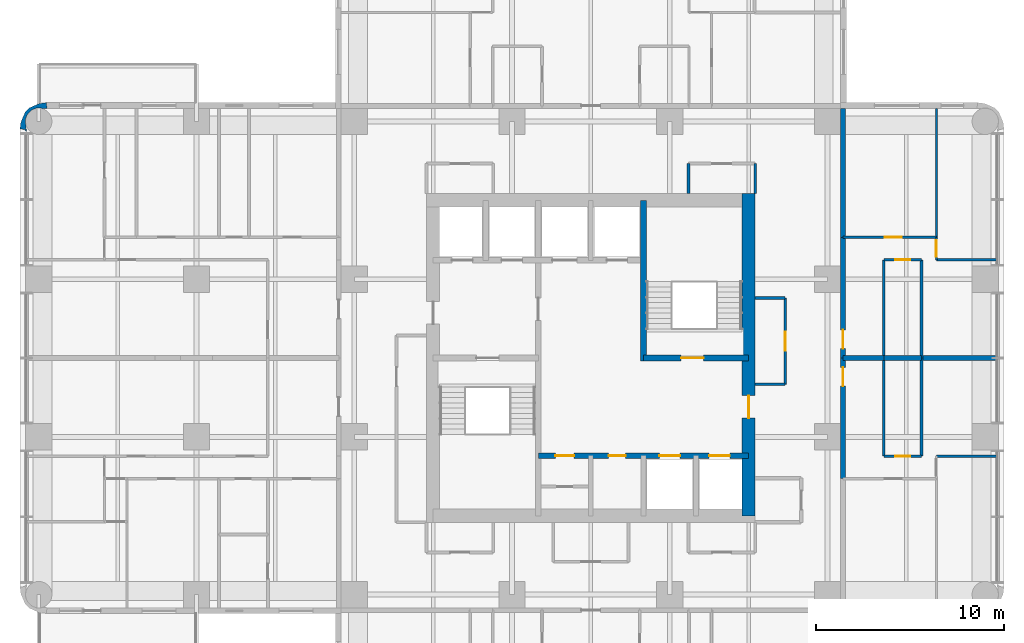
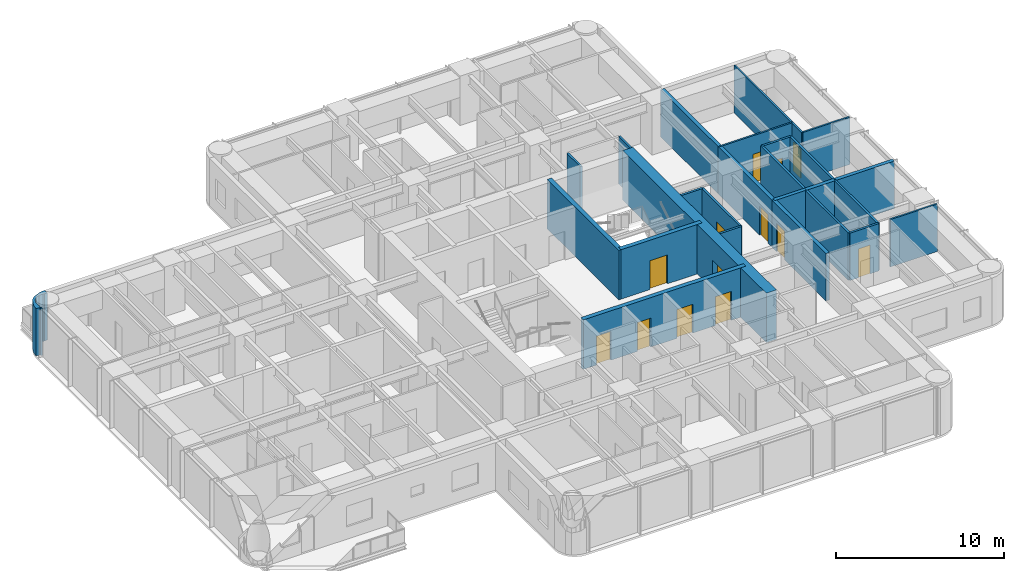
# One storey, part 8 of 11: 27 walls, 13 doors, 13 openings.
"""IFC4 building model written with IfcOpenShell, lengths in metres."""

import ifcopenshell
import ifcopenshell.guid

model = None  # the IFC model being written
_history = None  # IfcOwnerHistory: only IFC2X3 demands one
_inside = {}  # id of a spatial element -> (the spatial element, [elements in it])
_under = {}  # id of a project, library or spatial element -> (it, [spatial elements below it])
_declared = {}  # id of a project -> (the project, [libraries it declares])
_typed = {}  # id of a type object -> (the type object, [elements of that type])
_made_of = {}  # id of a material, layer set ... -> (it, [elements and type objects made of it])


def new_model(schema):
    """Start an empty IFC model of exactly this schema.

    Asked for "IFC4X3", IfcOpenShell would pick the latest addendum, in which some entities
    have other attributes; the version numbers below select the first issue.
    IFC2X3 requires an IfcOwnerHistory on every rooted entity: one is made here for all.
    """
    global model, _history
    if schema == "IFC4X3":
        model = ifcopenshell.file(schema_version=(4, 3, 0, 0))
    else:
        model = ifcopenshell.file(schema=schema)
    _inside.clear()
    _under.clear()
    _declared.clear()
    _typed.clear()
    _made_of.clear()
    _history = None
    if model.schema == "IFC2X3":
        org = make("IfcOrganization", Name="unknown")
        user = make(
            "IfcPersonAndOrganization",
            ThePerson=make("IfcPerson", FamilyName="unknown"),
            TheOrganization=org,
        )
        app = make(
            "IfcApplication",
            ApplicationDeveloper=org,
            Version="unknown",
            ApplicationFullName="unknown",
            ApplicationIdentifier="unknown",
        )
        _history = make(
            "IfcOwnerHistory",
            OwningUser=user,
            OwningApplication=app,
            ChangeAction="ADDED",
            CreationDate=0,
        )
    return model


def make(cls, **values):
    """One entity of the class cls with the attributes given. An attribute that is None is left unset."""
    return model.create_entity(
        cls, **{name: value for name, value in values.items() if value is not None}
    )


def rooted(cls, **values):
    """An entity with a GlobalId (a new one), such as an element, a storey or a relation."""
    return make(cls, GlobalId=ifcopenshell.guid.new(), OwnerHistory=_history, **values)


def si_unit(unit_type, name, prefix=None):
    """IfcSIUnit, for example si_unit("LENGTHUNIT", "METRE", prefix="MILLI")."""
    return make("IfcSIUnit", UnitType=unit_type, Prefix=prefix, Name=name)


def assignment(units):
    """IfcUnitAssignment: the units of a project."""
    return None if units is None else make("IfcUnitAssignment", Units=units)


def point(xyz):
    """IfcCartesianPoint."""
    return None if xyz is None else make("IfcCartesianPoint", Coordinates=xyz)


def direction(xyz):
    """IfcDirection."""
    return None if xyz is None else make("IfcDirection", DirectionRatios=xyz)


def frame(location, z_axis=None, x_axis=None):
    """IfcAxis2Placement3D, a coordinate frame: its origin and axes. An axis left out is left unset."""
    return make(
        "IfcAxis2Placement3D",
        Location=point(location),
        Axis=direction(z_axis),
        RefDirection=direction(x_axis),
    )


def frame_2d(location, x_axis=None):
    """IfcAxis2Placement2D, a coordinate frame in the plane: its origin and x axis."""
    return make(
        "IfcAxis2Placement2D", Location=point(location), RefDirection=direction(x_axis)
    )


def origin():
    """The frame at (0, 0, 0) with its axes left unset."""
    return frame((0.0, 0.0, 0.0))


def place(relative_to, where):
    """IfcLocalPlacement: puts the frame where relative to a parent placement (None: the world)."""
    return make(
        "IfcLocalPlacement", PlacementRelTo=relative_to, RelativePlacement=where
    )


def context(
    kind, dimensions, precision=None, world=None, true_north=None, identifier=None
):
    """IfcGeometricRepresentationContext, for example the 3D "Model" context."""
    return make(
        "IfcGeometricRepresentationContext",
        ContextIdentifier=identifier,
        ContextType=kind,
        CoordinateSpaceDimension=dimensions,
        Precision=precision,
        WorldCoordinateSystem=world,
        TrueNorth=true_north,
    )


def subcontext(parent, identifier, kind, view, scale=None):
    """IfcGeometricRepresentationSubContext, for example "Body" below "Model"."""
    return make(
        "IfcGeometricRepresentationSubContext",
        ContextIdentifier=identifier,
        ContextType=kind,
        ParentContext=parent,
        TargetScale=scale,
        TargetView=view,
    )


def project(units=None, contexts=None):
    """IfcProject with its units and contexts."""
    return rooted(
        "IfcProject",
        Name="project",
        RepresentationContexts=contexts,
        UnitsInContext=assignment(units),
    )


def spatial(cls, under=None, at=None, **own):
    """A site, building, storey or space (cls), placed at a placement, below another one or the project."""
    s = rooted(cls, ObjectPlacement=at, **own)
    if under is not None:
        _under.setdefault(under.id(), (under, []))[1].append(s)
    return s


def polyline(points):
    """IfcPolyline through the points."""
    return make("IfcPolyline", Points=[point(p) for p in points])


def profile(cls, at=None, kind="AREA", **sizes):
    """A parametric profile (cls). Its sizes go by their IFC names, for example OverallWidth=200.0."""
    return make(cls, ProfileType=kind, Position=at, **sizes)


def rectangle(**sizes):
    """IfcRectangleProfileDef."""
    return profile("IfcRectangleProfileDef", **sizes)


def outline(outer, holes=None, kind="AREA"):
    """IfcArbitraryClosedProfileDef: a profile drawn as a closed curve; with holes, ...WithVoids."""
    if holes is None:
        return make("IfcArbitraryClosedProfileDef", ProfileType=kind, OuterCurve=outer)
    return make(
        "IfcArbitraryProfileDefWithVoids",
        ProfileType=kind,
        OuterCurve=outer,
        InnerCurves=holes,
    )


def extrude(swept, where, along, depth):
    """IfcExtrudedAreaSolid: the profile swept, set in the frame where, extruded along a direction by depth."""
    return make(
        "IfcExtrudedAreaSolid",
        SweptArea=swept,
        Position=where,
        ExtrudedDirection=direction(along),
        Depth=depth,
    )


def shape(context_of_items, identifier, shape_type, items):
    """IfcShapeRepresentation: the items that make up one representation, for example the "Body"."""
    return make(
        "IfcShapeRepresentation",
        ContextOfItems=context_of_items,
        RepresentationIdentifier=identifier,
        RepresentationType=shape_type,
        Items=items,
    )


def material(Name=None, Category=None):
    """IfcMaterial."""
    return make("IfcMaterial", Name=Name, Category=Category)


def layer(
    of_material, thickness, ventilated=None, Name=None, Category=None, Priority=None
):
    """IfcMaterialLayer: one layer of a wall or slab, of a material (None: an air gap)."""
    return make(
        "IfcMaterialLayer",
        Material=of_material,
        LayerThickness=thickness,
        IsVentilated=ventilated,
        Name=Name,
        Category=Category,
        Priority=Priority,
    )


def layer_set(layers, Name=None):
    """IfcMaterialLayerSet."""
    return make("IfcMaterialLayerSet", MaterialLayers=layers, LayerSetName=Name)


def made_of(thing, what):
    """Note that an element or type object is made of a material, layer set ...; save() writes the relation."""
    if what is not None:
        _made_of.setdefault(what.id(), (what, []))[1].append(thing)
    return thing


def type_object(cls, material=None, **own):
    """A type object (cls), such as IfcWallType, which elements share."""
    return made_of(rooted(cls, **own), material)


def element(
    cls,
    number,
    at=None,
    inside=None,
    cuts=None,
    type_object=None,
    material=None,
    context=None,
    identifier="Body",
    shape_type=None,
    held_by="IfcProductDefinitionShape",
    body=None,
    shapes=None,
    **own,
):
    """One element of the class cls, such as IfcWall. Its Tag is "e" and its number.

    at: its placement. inside: the storey or other place that contains it. cuts: it is an
    opening in that element (IfcRelVoidsElement). A single representation is given by context,
    identifier, shape_type and body (its items); several are given by shapes. held_by: the class
    of the entity that holds the representations. save() writes the other relations.
    """
    e = rooted(cls, Tag="e%d" % number, ObjectPlacement=at, **own)
    if body is not None:
        shapes = [shape(context, identifier, shape_type, body)]
    if shapes is not None:
        e.Representation = make(held_by, Representations=shapes)
    if inside is not None:
        _inside.setdefault(inside.id(), (inside, []))[1].append(e)
    if cuts is not None:
        rooted(
            "IfcRelVoidsElement", RelatingBuildingElement=cuts, RelatedOpeningElement=e
        )
    if type_object is not None:
        _typed.setdefault(type_object.id(), (type_object, []))[1].append(e)
    return made_of(e, material)


def fill(opening, filler):
    """IfcRelFillsElement: the door or window that sits in an opening."""
    return rooted(
        "IfcRelFillsElement",
        RelatingOpeningElement=opening,
        RelatedBuildingElement=filler,
    )


def aggregate(whole, parts):
    """IfcRelAggregates: a whole, such as a stair, and the parts it consists of."""
    return rooted("IfcRelAggregates", RelatingObject=whole, RelatedObjects=parts)


def save(model, path):
    """Write the relations noted so far, then the file.

    IfcRelAggregates (storeys below a building ...), IfcRelContainedInSpatialStructure (elements
    in a storey), IfcRelDefinesByType, IfcRelAssociatesMaterial and IfcRelDeclares: one each for
    every whole, place, type object, material and project.
    """
    for whole, parts in _under.values():
        aggregate(whole, parts)
    for where, things in _inside.values():
        rooted(
            "IfcRelContainedInSpatialStructure",
            RelatedElements=things,
            RelatingStructure=where,
        )
    for kind, things in _typed.values():
        rooted("IfcRelDefinesByType", RelatedObjects=things, RelatingType=kind)
    for what, things in _made_of.values():
        rooted("IfcRelAssociatesMaterial", RelatedObjects=things, RelatingMaterial=what)
    for by, libraries in _declared.values():
        rooted("IfcRelDeclares", RelatingContext=by, RelatedDefinitions=libraries)
    model.write(path)


model = new_model("IFC4")

# Units and contexts
model_context = context("Model", 3, precision=1e-05, world=origin(), true_north=direction((0.0, 1.0)))
body_context = subcontext(model_context, "Body", "Model", "MODEL_VIEW")
ifc_project = project(units=[si_unit("LENGTHUNIT", "METRE"), si_unit("AREAUNIT", "SQUARE_METRE"), si_unit("VOLUMEUNIT", "CUBIC_METRE"), si_unit("PLANEANGLEUNIT", "RADIAN"), si_unit("MASSUNIT", "GRAM", prefix="KILO")], contexts=[model_context])

# Site, building, storey
site_placement = place(None, origin())
site = spatial("IfcSite", under=ifc_project, at=site_placement, CompositionType="ELEMENT")
building_placement = place(site_placement, origin())
building = spatial("IfcBuilding", under=site, at=building_placement, Name="Torre Alcanfor", CompositionType="ELEMENT")
storey_placement = place(building_placement, frame((0.0, 0.0, 190.5)))
storey = spatial("IfcBuildingStorey", under=building, at=storey_placement, Name="L49", CompositionType="ELEMENT", Elevation=190.5)

# Wall, opening, door
ifc_material_1 = material(Name="Concrete block masonry, hollow blocks NMX-C-404 9 MPa", Category="masonry")
ifc_layer_1 = layer(ifc_material_1, 0.25)
ifc_layer_set_1 = layer_set([ifc_layer_1], Name="Apartment entrance wall 250 EI 60")
wall_type_1 = type_object("IfcWallType", Name="Apartment entrance wall 250 EI 60", PredefinedType="PARTITIONING", material=ifc_layer_set_1)
wall_1_placement = place(storey_placement, frame((42.824951171875, 35.8291015625, 0.0), z_axis=(0.0, 0.0, 1.0), x_axis=(0.0, -1.0, 0.0)))
wall_1 = element("IfcWall", 1, at=wall_1_placement, inside=storey, type_object=wall_type_1, Name="Partition L49-CORR / L49-E1-LIVING", PredefinedType="PARTITIONING", context=body_context, shape_type="SweptSolid", body=[
    extrude(rectangle(XDim=6.42919921875, YDim=0.25, at=frame_2d((3.214599609375, 0.0))), origin(), (0.0, 0.0, 1.0), 3.449951171875),
])
opening_1_placement = place(wall_1_placement, frame((4.928955078125, 0.0, 0.0)))
opening_1 = element("IfcOpeningElement", 2, at=opening_1_placement, cuts=wall_1, Name="Opening D-A1", PredefinedType="OPENING", context=body_context, shape_type="SweptSolid", body=[
    extrude(rectangle(XDim=1.0, YDim=2.10009765625, at=frame_2d((0.5, 1.050048828125))), frame((0.0, 0.135009765625, 0.0), z_axis=(0.0, -1.0, 0.0), x_axis=(1.0, 0.0, 0.0)), (0.0, 0.0, 1.0), 0.27001953125),
])
ifc_material_2 = material(Name="Galvanised steel sheet ASTM A653", Category="steel")
door_type_1 = type_object("IfcDoorType", Name="Apartment entrance door FD60 1000x2100", OperationType="SINGLE_SWING_LEFT", PredefinedType="DOOR", material=ifc_material_2)
door_1_placement = place(opening_1_placement, origin())
door_1 = element("IfcDoor", 3, at=door_1_placement, inside=storey, type_object=door_type_1, Name="Apartment entrance L49-E1", OperationType="SINGLE_SWING_RIGHT", OverallHeight=2.10009765625, OverallWidth=1.0, PredefinedType="DOOR", context=body_context, shape_type="SweptSolid", body=[
    extrude(rectangle(XDim=1.0, YDim=2.10009765625, at=frame_2d((0.5, 1.050048828125))), frame((0.0, 0.02490234375, 0.0), z_axis=(0.0, -1.0, 0.0), x_axis=(1.0, 0.0, 0.0)), (0.0, 0.0, 1.0), 0.050048828125),
])
fill(opening_1, door_1)

# Wall
wall_2_placement = place(storey_placement, frame((42.824951171875, 42.699951171875, 0.0), z_axis=(0.0, 0.0, 1.0), x_axis=(0.0, -1.0, 0.0)))
element("IfcWall", 4, at=wall_2_placement, inside=storey, type_object=wall_type_1, Name="Partition L49-CORR / L49-E1-BED2", PredefinedType="PARTITIONING", context=body_context, shape_type="SweptSolid", body=[
    extrude(rectangle(XDim=6.870849609375, YDim=0.25, at=frame_2d((3.435546875, 0.0))), origin(), (0.0, 0.0, 1.0), 3.449951171875),
])

# Wall, opening, door
wall_3_placement = place(storey_placement, frame((42.824951171875, 29.39990234375, 0.0), z_axis=(0.0, 0.0, 1.0), x_axis=(0.0, -1.0, 0.0)))
wall_3 = element("IfcWall", 5, at=wall_3_placement, inside=storey, type_object=wall_type_1, Name="Partition L49-CORR / L49-E2-LIVING", PredefinedType="PARTITIONING", context=body_context, shape_type="SweptSolid", body=[
    extrude(rectangle(XDim=6.428955078125, YDim=0.25, at=frame_2d((3.21435546875, 0.0))), origin(), (0.0, 0.0, 1.0), 3.449951171875),
])
opening_2_placement = place(wall_3_placement, frame((0.5, 0.0, 0.0)))
opening_2 = element("IfcOpeningElement", 6, at=opening_2_placement, cuts=wall_3, Name="Opening D-A1", PredefinedType="OPENING", context=body_context, shape_type="SweptSolid", body=[
    extrude(rectangle(XDim=1.0, YDim=2.10009765625, at=frame_2d((0.5, 1.050048828125))), frame((0.0, 0.135009765625, 0.0), z_axis=(0.0, -1.0, 0.0), x_axis=(1.0, 0.0, 0.0)), (0.0, 0.0, 1.0), 0.27001953125),
])
door_2_placement = place(opening_2_placement, origin())
door_2 = element("IfcDoor", 7, at=door_2_placement, inside=storey, type_object=door_type_1, Name="Apartment entrance L49-E2", OperationType="SINGLE_SWING_LEFT", OverallHeight=2.10009765625, OverallWidth=1.0, PredefinedType="DOOR", context=body_context, shape_type="SweptSolid", body=[
    extrude(rectangle(XDim=1.0, YDim=2.10009765625, at=frame_2d((0.5, 1.050048828125))), frame((0.0, 0.02490234375, 0.0), z_axis=(0.0, -1.0, 0.0), x_axis=(1.0, 0.0, 0.0)), (0.0, 0.0, 1.0), 0.050048828125),
])
fill(opening_2, door_2)

ifc_material_3 = material(Name="Gypsum board on steel studs", Category="steel")
ifc_layer_2 = layer(ifc_material_3, 0.1201171875)
ifc_layer_set_2 = layer_set([ifc_layer_2], Name="Apartment partition 120")
wall_type_2 = type_object("IfcWallType", Name="Apartment partition 120", PredefinedType="PARTITIONING", material=ifc_layer_set_2)
wall_4_placement = place(storey_placement, frame((42.824951171875, 35.8291015625, 0.0), z_axis=(0.0, 0.0, 1.0), x_axis=(1.0, 0.0, 0.0)))
wall_4 = element("IfcWall", 8, at=wall_4_placement, inside=storey, type_object=wall_type_2, Name="Partition L49-E1-LIVING / L49-E1-BED2", PredefinedType="PARTITIONING", context=body_context, shape_type="SweptSolid", body=[
    extrude(rectangle(XDim=4.97509765625, YDim=0.1201171875, at=frame_2d((2.487548828125, 0.0))), origin(), (0.0, 0.0, 1.0), 3.449951171875),
])
opening_3_placement = place(wall_4_placement, frame((2.22509765625, 0.0, 0.0)))
opening_3 = element("IfcOpeningElement", 9, at=opening_3_placement, cuts=wall_4, Name="Opening D-R1", PredefinedType="OPENING", context=body_context, shape_type="SweptSolid", body=[
    extrude(rectangle(XDim=0.89990234375, YDim=2.10009765625, at=frame_2d((0.449951171875, 1.050048828125))), frame((0.0, 0.070068359375, 0.0), z_axis=(0.0, -1.0, 0.0), x_axis=(1.0, 0.0, 0.0)), (0.0, 0.0, 1.0), 0.14013671875),
])
ifc_material_4 = material(Name="Timber", Category="wood")
door_type_2 = type_object("IfcDoorType", Name="Internal door 900x2100", OperationType="SINGLE_SWING_LEFT", PredefinedType="DOOR", material=ifc_material_4)
door_3_placement = place(opening_3_placement, origin())
door_3 = element("IfcDoor", 10, at=door_3_placement, inside=storey, type_object=door_type_2, Name="Door L49-E1 bed2", OperationType="SINGLE_SWING_RIGHT", OverallHeight=2.10009765625, OverallWidth=0.89990234375, PredefinedType="DOOR", context=body_context, shape_type="SweptSolid", body=[
    extrude(rectangle(XDim=0.89990234375, YDim=2.10009765625, at=frame_2d((0.449951171875, 1.050048828125))), frame((0.0, 0.02490234375, 0.0), z_axis=(0.0, -1.0, 0.0), x_axis=(1.0, 0.0, 0.0)), (0.0, 0.0, 1.0), 0.050048828125),
])
fill(opening_3, door_3)

wall_5_placement = place(storey_placement, frame((47.800048828125, 35.8291015625, 0.0), z_axis=(0.0, 0.0, 1.0), x_axis=(0.0, -1.0, 0.0)))
wall_5 = element("IfcWall", 11, at=wall_5_placement, inside=storey, type_object=wall_type_2, Name="Partition L49-E1-LIVING / L49-E1-MASTER", PredefinedType="PARTITIONING", context=body_context, shape_type="SweptSolid", body=[
    extrude(rectangle(XDim=1.2001953125, YDim=0.1201171875, at=frame_2d((0.60009765625, 0.0))), origin(), (0.0, 0.0, 1.0), 3.449951171875),
])
opening_4_placement = place(wall_5_placement, frame((0.14892578125, 0.0, 0.0)))
opening_4 = element("IfcOpeningElement", 12, at=opening_4_placement, cuts=wall_5, Name="Opening D-R1", PredefinedType="OPENING", context=body_context, shape_type="SweptSolid", body=[
    extrude(rectangle(XDim=0.89990234375, YDim=2.10009765625, at=frame_2d((0.449951171875, 1.050048828125))), frame((0.0, 0.070068359375, 0.0), z_axis=(0.0, -1.0, 0.0), x_axis=(1.0, 0.0, 0.0)), (0.0, 0.0, 1.0), 0.14013671875),
])
door_4_placement = place(opening_4_placement, origin())
door_4 = element("IfcDoor", 13, at=door_4_placement, inside=storey, type_object=door_type_2, Name="Door L49-E1 master", OperationType="SINGLE_SWING_RIGHT", OverallHeight=2.10009765625, OverallWidth=0.89990234375, PredefinedType="DOOR", context=body_context, shape_type="SweptSolid", body=[
    extrude(rectangle(XDim=0.89990234375, YDim=2.10009765625, at=frame_2d((0.449951171875, 1.050048828125))), frame((0.0, 0.02490234375, 0.0), z_axis=(0.0, -1.0, 0.0), x_axis=(1.0, 0.0, 0.0)), (0.0, 0.0, 1.0), 0.050048828125),
])
fill(opening_4, door_4)

# Walls
wall_6_placement = place(storey_placement, frame((47.800048828125, 34.62890625, 0.0), z_axis=(0.0, 0.0, 1.0), x_axis=(1.0, 0.0, 0.0)))
element("IfcWall", 14, at=wall_6_placement, inside=storey, type_object=wall_type_2, Name="Partition L49-E1-LIVING / L49-E1-MASTER", PredefinedType="PARTITIONING", context=body_context, shape_type="SweptSolid", body=[
    extrude(rectangle(XDim=3.25, YDim=0.1201171875, at=frame_2d((1.625, 0.0))), origin(), (0.0, 0.0, 1.0), 3.449951171875),
])
wall_7_placement = place(storey_placement, frame((47.800048828125, 35.8291015625, 0.0), z_axis=(0.0, 0.0, 1.0), x_axis=(0.0, 1.0, 0.0)))
element("IfcWall", 15, at=wall_7_placement, inside=storey, type_object=wall_type_2, Name="Partition L49-E1-BED2 / L49-E1-MASTER", PredefinedType="PARTITIONING", context=body_context, shape_type="SweptSolid", body=[
    extrude(rectangle(XDim=6.870849609375, YDim=0.1201171875, at=frame_2d((3.435546875, 0.0))), origin(), (0.0, 0.0, 1.0), 3.449951171875),
])
wall_8_placement = place(storey_placement, frame((51.050048828125, 24.1708984375, 0.0), z_axis=(0.0, 0.0, 1.0), x_axis=(-1.0, 0.0, 0.0)))
element("IfcWall", 16, at=wall_8_placement, inside=storey, type_object=wall_type_2, Name="Partition L49-E2-LIVING / L49-E2-MASTER", PredefinedType="PARTITIONING", context=body_context, shape_type="SweptSolid", body=[
    extrude(rectangle(XDim=3.25, YDim=0.1201171875, at=frame_2d((1.625, 0.0))), origin(), (0.0, 0.0, 1.0), 3.449951171875),
])

# Wall, openings, doors
ifc_material_5 = material(Name="Concrete f'c 70 MPa", Category="concrete")
ifc_layer_3 = layer(ifc_material_5, 0.300048828125)
ifc_layer_set_3 = layer_set([ifc_layer_3], Name="Core inner wall 300 f'c70")
wall_type_3 = type_object("IfcWallType", Name="Core inner wall 300 f'c70", PredefinedType="SHEAR", material=ifc_layer_set_3)
wall_9_placement = place(storey_placement, frame((26.60009765625, 24.199951171875, 0.0), z_axis=(0.0, 0.0, 1.0), x_axis=(1.0, 0.0, 0.0)))
wall_9 = element("IfcWall", 17, at=wall_9_placement, inside=storey, type_object=wall_type_3, Name="Core wall Y242 L49", PredefinedType="SHEAR", context=body_context, shape_type="SweptSolid", body=[
    extrude(rectangle(XDim=11.199951171875, YDim=0.300048828125, at=frame_2d((5.60009765625, 0.0))), origin(), (0.0, 0.0, 1.0), 3.60009765625),
])
opening_5_placement = place(wall_9_placement, frame((0.91259765625, 0.0, 0.0)))
opening_5 = element("IfcOpeningElement", 18, at=opening_5_placement, cuts=wall_9, Name="Opening D-K1", PredefinedType="OPENING", context=body_context, shape_type="SweptSolid", body=[
    extrude(rectangle(XDim=1.0, YDim=2.10009765625, at=frame_2d((0.5, 1.050048828125))), frame((0.0, 0.159912109375, 0.0), z_axis=(0.0, -1.0, 0.0), x_axis=(1.0, 0.0, 0.0)), (0.0, 0.0, 1.0), 0.320068359375),
])
opening_6_placement = place(wall_9_placement, frame((3.75, 0.0, 0.0)))
opening_6 = element("IfcOpeningElement", 19, at=opening_6_placement, cuts=wall_9, Name="Opening D-Q1", PredefinedType="OPENING", context=body_context, shape_type="SweptSolid", body=[
    extrude(rectangle(XDim=0.89990234375, YDim=2.10009765625, at=frame_2d((0.449951171875, 1.050048828125))), frame((0.0, 0.159912109375, 0.0), z_axis=(0.0, -1.0, 0.0), x_axis=(1.0, 0.0, 0.0)), (0.0, 0.0, 1.0), 0.320068359375),
])
opening_7_placement = place(wall_9_placement, frame((6.449951171875, 0.0, 0.0)))
opening_7 = element("IfcOpeningElement", 20, at=opening_7_placement, cuts=wall_9, Name="Opening LD1", PredefinedType="OPENING", context=body_context, shape_type="SweptSolid", body=[
    extrude(rectangle(XDim=1.10009765625, YDim=2.10009765625, at=frame_2d((0.550048828125, 1.050048828125))), frame((0.0, 0.159912109375, 0.0), z_axis=(0.0, -1.0, 0.0), x_axis=(1.0, 0.0, 0.0)), (0.0, 0.0, 1.0), 0.320068359375),
])
opening_8_placement = place(wall_9_placement, frame((9.10009765625, 0.0, 0.0)))
opening_8 = element("IfcOpeningElement", 21, at=opening_8_placement, cuts=wall_9, Name="Opening LD1", PredefinedType="OPENING", context=body_context, shape_type="SweptSolid", body=[
    extrude(rectangle(XDim=1.10009765625, YDim=2.10009765625, at=frame_2d((0.550048828125, 1.050048828125))), frame((0.0, 0.159912109375, 0.0), z_axis=(0.0, -1.0, 0.0), x_axis=(1.0, 0.0, 0.0)), (0.0, 0.0, 1.0), 0.320068359375),
])
ifc_material_6 = material(Name="Galvanised steel sheet ASTM A653", Category="steel")
door_type_3 = type_object("IfcDoorType", Name="Core room door FD60 1000x2100", OperationType="SINGLE_SWING_LEFT", PredefinedType="DOOR", material=ifc_material_6)
door_5_placement = place(opening_5_placement, frame((1.0, 0.0, 0.0), z_axis=(0.0, 0.0, 1.0), x_axis=(-1.0, 0.0, 0.0)))
door_5 = element("IfcDoor", 22, at=door_5_placement, inside=storey, type_object=door_type_3, Name="Residents' storage door L49", OperationType="SINGLE_SWING_RIGHT", OverallHeight=2.10009765625, OverallWidth=1.0, PredefinedType="DOOR", context=body_context, shape_type="SweptSolid", body=[
    extrude(rectangle(XDim=1.0, YDim=2.10009765625, at=frame_2d((0.5, 1.050048828125))), frame((0.0, 0.025146484375, 0.0), z_axis=(0.0, -1.0, 0.0), x_axis=(1.0, 0.0, 0.0)), (0.0, 0.0, 1.0), 0.050048828125),
])
fill(opening_5, door_5)
ifc_material_7 = material(Name="Galvanised steel sheet ASTM A653", Category="steel")
door_type_4 = type_object("IfcDoorType", Name="Lift landing door 1100x2100", OperationType="DOUBLE_DOOR_SLIDING", PredefinedType="DOOR", material=ifc_material_7)
door_6_placement = place(opening_7_placement, origin())
door_6 = element("IfcDoor", 23, at=door_6_placement, inside=storey, type_object=door_type_4, Name="Lift landing door PA3 L49", OperationType="DOUBLE_DOOR_SLIDING", OverallHeight=2.10009765625, OverallWidth=1.10009765625, PredefinedType="DOOR", context=body_context, shape_type="SweptSolid", body=[
    extrude(rectangle(XDim=1.10009765625, YDim=2.10009765625, at=frame_2d((0.550048828125, 1.050048828125))), frame((0.0, 0.02490234375, 0.0), z_axis=(0.0, -1.0, 0.0), x_axis=(1.0, 0.0, 0.0)), (0.0, 0.0, 1.0), 0.050048828125),
])
fill(opening_7, door_6)
door_7_placement = place(opening_8_placement, origin())
door_7 = element("IfcDoor", 24, at=door_7_placement, inside=storey, type_object=door_type_4, Name="Lift landing door PA4 L49", OperationType="DOUBLE_DOOR_SLIDING", OverallHeight=2.10009765625, OverallWidth=1.10009765625, PredefinedType="DOOR", context=body_context, shape_type="SweptSolid", body=[
    extrude(rectangle(XDim=1.10009765625, YDim=2.10009765625, at=frame_2d((0.550048828125, 1.050048828125))), frame((0.0, 0.02490234375, 0.0), z_axis=(0.0, -1.0, 0.0), x_axis=(1.0, 0.0, 0.0)), (0.0, 0.0, 1.0), 0.050048828125),
])
fill(opening_8, door_7)
ifc_material_8 = material(Name="Galvanised steel sheet ASTM A653", Category="steel")
door_type_5 = type_object("IfcDoorType", Name="Riser access door FD120 900x2100", OperationType="SINGLE_SWING_LEFT", PredefinedType="DOOR", material=ifc_material_8)
door_8_placement = place(opening_6_placement, frame((0.89990234375, 0.0, 0.0), z_axis=(0.0, 0.0, 1.0), x_axis=(-1.0, 0.0, 0.0)))
door_8 = element("IfcDoor", 25, at=door_8_placement, inside=storey, type_object=door_type_5, Name="Riser door L49", OperationType="SINGLE_SWING_RIGHT", OverallHeight=2.10009765625, OverallWidth=0.89990234375, PredefinedType="DOOR", context=body_context, shape_type="SweptSolid", body=[
    extrude(rectangle(XDim=0.89990234375, YDim=2.10009765625, at=frame_2d((0.449951171875, 1.050048828125))), frame((0.0, 0.025146484375, 0.0), z_axis=(0.0, -1.0, 0.0), x_axis=(1.0, 0.0, 0.0)), (0.0, 0.0, 1.0), 0.050048828125),
])
fill(opening_6, door_8)

# Wall
wall_10_placement = place(storey_placement, frame((32.199951171875, 29.25, 0.0), z_axis=(0.0, 0.0, 1.0), x_axis=(0.0, 1.0, 0.0)))
element("IfcWall", 26, at=wall_10_placement, inside=storey, type_object=wall_type_3, Name="Core wall X322N L49", PredefinedType="SHEAR", context=body_context, shape_type="SweptSolid", body=[
    extrude(rectangle(XDim=8.550048828125, YDim=0.300048828125, at=frame_2d((4.27490234375, 0.0))), origin(), (0.0, 0.0, 1.0), 3.60009765625),
])

# Wall, opening, door
wall_11_placement = place(storey_placement, frame((32.199951171875, 29.39990234375, 0.0), z_axis=(0.0, 0.0, 1.0), x_axis=(1.0, 0.0, 0.0)))
wall_11 = element("IfcWall", 27, at=wall_11_placement, inside=storey, type_object=wall_type_3, Name="Core wall Y294E L49", PredefinedType="SHEAR", context=body_context, shape_type="SweptSolid", body=[
    extrude(rectangle(XDim=5.60009765625, YDim=0.300048828125, at=frame_2d((2.800048828125, 0.0))), origin(), (0.0, 0.0, 1.0), 3.60009765625),
])
opening_9_placement = place(wall_11_placement, frame((2.0, 0.0, 0.0)))
opening_9 = element("IfcOpeningElement", 28, at=opening_9_placement, cuts=wall_11, Name="Opening D-S2", PredefinedType="OPENING", context=body_context, shape_type="SweptSolid", body=[
    extrude(rectangle(XDim=1.199951171875, YDim=2.10009765625, at=frame_2d((0.60009765625, 1.050048828125))), frame((0.0, 0.159912109375, 0.0), z_axis=(0.0, -1.0, 0.0), x_axis=(1.0, 0.0, 0.0)), (0.0, 0.0, 1.0), 0.320068359375),
])
ifc_material_9 = material(Name="Galvanised steel sheet ASTM A653", Category="steel")
door_type_6 = type_object("IfcDoorType", Name="Stair enclosure door FD120 1200x2100", OperationType="SINGLE_SWING_LEFT", PredefinedType="DOOR", material=ifc_material_9)
door_9_placement = place(opening_9_placement, origin())
door_9 = element("IfcDoor", 29, at=door_9_placement, inside=storey, type_object=door_type_6, Name="Stair S2 door L49", OperationType="SINGLE_SWING_LEFT", OverallHeight=2.10009765625, OverallWidth=1.199951171875, PredefinedType="DOOR", context=body_context, shape_type="SweptSolid", body=[
    extrude(rectangle(XDim=1.199951171875, YDim=2.10009765625, at=frame_2d((0.60009765625, 1.050048828125))), frame((0.0, 0.02490234375, 0.0), z_axis=(0.0, -1.0, 0.0), x_axis=(1.0, 0.0, 0.0)), (0.0, 0.0, 1.0), 0.050048828125),
])
fill(opening_9, door_9)

ifc_material_10 = material(Name="Concrete f'c 70 MPa", Category="concrete")
ifc_layer_4 = layer(ifc_material_10, 0.699951171875)
ifc_layer_set_4 = layer_set([ifc_layer_4], Name="Core wall 700 f'c70")
wall_type_4 = type_object("IfcWallType", Name="Core wall 700 f'c70", PredefinedType="SHEAR", material=ifc_layer_set_4)
wall_12_placement = place(storey_placement, frame((37.800048828125, 21.0, 0.0), z_axis=(0.0, 0.0, 1.0), x_axis=(0.0, 1.0, 0.0)))
wall_12 = element("IfcWall", 30, at=wall_12_placement, inside=storey, type_object=wall_type_4, Name="Core wall OUT-E L49", PredefinedType="SHEAR", context=body_context, shape_type="SweptSolid", body=[
    extrude(rectangle(XDim=17.14990234375, YDim=0.699951171875, at=frame_2d((8.574951171875, 0.0))), origin(), (0.0, 0.0, 1.0), 3.60009765625),
])
opening_10_placement = place(wall_12_placement, frame((5.199951171875, 0.0, 0.0)))
opening_10 = element("IfcOpeningElement", 31, at=opening_10_placement, cuts=wall_12, Name="Opening D-L1", PredefinedType="OPENING", context=body_context, shape_type="SweptSolid", body=[
    extrude(rectangle(XDim=1.199951171875, YDim=2.10009765625, at=frame_2d((0.60009765625, 1.050048828125))), frame((0.0, 0.35986328125, 0.0), z_axis=(0.0, -1.0, 0.0), x_axis=(1.0, 0.0, 0.0)), (0.0, 0.0, 1.0), 0.719970703125),
])
ifc_material_11 = material(Name="Galvanised steel sheet ASTM A653", Category="steel")
door_type_7 = type_object("IfcDoorType", Name="Lobby door FD120 1200x2100", OperationType="SINGLE_SWING_LEFT", PredefinedType="DOOR", material=ifc_material_11)
door_10_placement = place(opening_10_placement, origin())
door_10 = element("IfcDoor", 32, at=door_10_placement, inside=storey, type_object=door_type_7, Name="Lift lobby entrance door L49", OperationType="SINGLE_SWING_LEFT", OverallHeight=2.10009765625, OverallWidth=1.199951171875, PredefinedType="DOOR", context=body_context, shape_type="SweptSolid", body=[
    extrude(rectangle(XDim=1.199951171875, YDim=2.10009765625, at=frame_2d((0.60009765625, 1.050048828125))), frame((0.0, 0.02490234375, 0.0), z_axis=(0.0, -1.0, 0.0), x_axis=(1.0, 0.0, 0.0)), (0.0, 0.0, 1.0), 0.050048828125),
])
fill(opening_10, door_10)

# Walls
ifc_material_12 = material(Name="Concrete block masonry, hollow blocks NMX-C-404 9 MPa", Category="masonry")
ifc_layer_5 = layer(ifc_material_12, 0.25)
ifc_layer_set_5 = layer_set([ifc_layer_5], Name="Party wall 250 EI 60")
wall_type_5 = type_object("IfcWallType", Name="Party wall 250 EI 60", PredefinedType="PARTITIONING", material=ifc_layer_set_5)
wall_13_placement = place(storey_placement, frame((45.0, 29.39990234375, 0.0), z_axis=(0.0, 0.0, 1.0), x_axis=(1.0, 0.0, 0.0)))
element("IfcWall", 33, at=wall_13_placement, inside=storey, type_object=wall_type_5, Name="Partition L49-E1-BATH / L49-E2-BATH", PredefinedType="PARTITIONING", context=body_context, shape_type="SweptSolid", body=[
    extrude(rectangle(XDim=2.0, YDim=0.25, at=frame_2d((1.0, 0.0))), origin(), (0.0, 0.0, 1.0), 3.449951171875),
])
wall_14_placement = place(storey_placement, frame((45.0, 29.39990234375, 0.0), z_axis=(0.0, 0.0, 1.0), x_axis=(-1.0, 0.0, 0.0)))
element("IfcWall", 34, at=wall_14_placement, inside=storey, type_object=wall_type_5, Name="Partition L49-E1-LIVING / L49-E2-LIVING", PredefinedType="PARTITIONING", context=body_context, shape_type="SweptSolid", body=[
    extrude(rectangle(XDim=2.175048828125, YDim=0.25, at=frame_2d((1.08740234375, 0.0))), origin(), (0.0, 0.0, 1.0), 3.449951171875),
])
wall_15_placement = place(storey_placement, frame((51.050048828125, 29.39990234375, 0.0), z_axis=(0.0, 0.0, 1.0), x_axis=(-1.0, 0.0, 0.0)))
element("IfcWall", 35, at=wall_15_placement, inside=storey, type_object=wall_type_5, Name="Partition L49-E1-LIVING / L49-E2-LIVING", PredefinedType="PARTITIONING", context=body_context, shape_type="SweptSolid", body=[
    extrude(rectangle(XDim=4.050048828125, YDim=0.25, at=frame_2d((2.02490234375, 0.0))), origin(), (0.0, 0.0, 1.0), 3.449951171875),
])
ifc_material_13 = material(Name="Concrete block masonry, hollow blocks NMX-C-404 9 MPa", Category="masonry")
ifc_layer_6 = layer(ifc_material_13, 0.14990234375)
ifc_layer_set_6 = layer_set([ifc_layer_6], Name="Residents' room partition 150")
wall_type_6 = type_object("IfcWallType", Name="Residents' room partition 150", PredefinedType="PARTITIONING", material=ifc_layer_set_6)
for number, where, z_axis, x_axis, name in (
    (36, (38.14990234375, 38.14990234375, 0.0), (0.0, 0.0, 1.0), (0.0, 1.0, 0.0), "Partition L49-CORR / L49-G02"),
    (37, (34.60009765625, 39.75, 0.0), (0.0, 0.0, 1.0), (0.0, -1.0, 0.0), "Partition L49-CORR / L49-G02"),
    (38, (38.14990234375, 28.0, 0.0), (0.0, 0.0, 1.0), (1.0, 0.0, 0.0), "Partition L49-CORR / L49-G04"),
):
    element("IfcWall", number, at=place(storey_placement, frame(where, z_axis=z_axis, x_axis=x_axis)), inside=storey, type_object=wall_type_6, Name=name, PredefinedType="PARTITIONING", context=body_context, shape_type="SweptSolid", body=[
        extrude(rectangle(XDim=1.60009765625, YDim=0.14990234375, at=frame_2d((0.800048828125, 0.0))), origin(), (0.0, 0.0, 1.0), 3.449951171875),
    ])

# Wall, opening, door
wall_16_placement = place(storey_placement, frame((39.75, 28.0, 0.0), z_axis=(0.0, 0.0, 1.0), x_axis=(0.0, 1.0, 0.0)))
wall_16 = element("IfcWall", 39, at=wall_16_placement, inside=storey, type_object=wall_type_6, Name="Partition L49-CORR / L49-G04", PredefinedType="PARTITIONING", context=body_context, shape_type="SweptSolid", body=[
    extrude(rectangle(XDim=4.60009765625, YDim=0.14990234375, at=frame_2d((2.300048828125, 0.0))), origin(), (0.0, 0.0, 1.0), 3.449951171875),
])
opening_11_placement = place(wall_16_placement, frame((1.800048828125, 0.0, 0.0)))
opening_11 = element("IfcOpeningElement", 40, at=opening_11_placement, cuts=wall_16, Name="Opening D-M1", PredefinedType="OPENING", context=body_context, shape_type="SweptSolid", body=[
    extrude(rectangle(XDim=1.0, YDim=2.10009765625, at=frame_2d((0.5, 1.050048828125))), frame((0.0, 0.0849609375, 0.0), z_axis=(0.0, -1.0, 0.0), x_axis=(1.0, 0.0, 0.0)), (0.0, 0.0, 1.0), 0.169921875),
])
ifc_material_14 = material(Name="Timber", Category="wood")
door_type_8 = type_object("IfcDoorType", Name="Residents' room door 1000x2100", OperationType="SINGLE_SWING_LEFT", PredefinedType="DOOR", material=ifc_material_14)
door_11_placement = place(opening_11_placement, origin())
door_11 = element("IfcDoor", 41, at=door_11_placement, inside=storey, type_object=door_type_8, Name="Door L49-G04 parcel room", OperationType="SINGLE_SWING_LEFT", OverallHeight=2.10009765625, OverallWidth=1.0, PredefinedType="DOOR", context=body_context, shape_type="SweptSolid", body=[
    extrude(rectangle(XDim=1.0, YDim=2.10009765625, at=frame_2d((0.5, 1.050048828125))), frame((0.0, 0.02490234375, 0.0), z_axis=(0.0, -1.0, 0.0), x_axis=(1.0, 0.0, 0.0)), (0.0, 0.0, 1.0), 0.050048828125),
])
fill(opening_11, door_11)

# Walls
wall_17_placement = place(storey_placement, frame((39.75, 32.60009765625, 0.0), z_axis=(0.0, 0.0, 1.0), x_axis=(-1.0, 0.0, 0.0)))
element("IfcWall", 42, at=wall_17_placement, inside=storey, type_object=wall_type_6, Name="Partition L49-CORR / L49-G04", PredefinedType="PARTITIONING", context=body_context, shape_type="SweptSolid", body=[
    extrude(rectangle(XDim=1.60009765625, YDim=0.14990234375, at=frame_2d((0.800048828125, 0.0))), origin(), (0.0, 0.0, 1.0), 3.449951171875),
])
ifc_material_15 = material(Name="Limestone cladding", Category="masonry")
ifc_layer_7 = layer(ifc_material_15, 0.0400390625, Name="Facing")
ifc_material_16 = material(Name="Ventilated air cavity")
ifc_layer_8 = layer(ifc_material_16, 0.02001953125, ventilated=True, Name="Ventilated joint")
ifc_material_17 = material(Name="Mineral wool insulation", Category="insulation")
ifc_layer_9 = layer(ifc_material_17, 0.10009765625, Name="Insulation")
ifc_material_18 = material(Name="Concrete f'c 35 MPa", Category="concrete")
ifc_layer_10 = layer(ifc_material_18, 0.139892578125, Name="Backing")
ifc_layer_set_7 = layer_set([ifc_layer_7, ifc_layer_8, ifc_layer_9, ifc_layer_10], Name="Rounded corner pier stone-clad 300")
wall_type_7 = type_object("IfcWallType", Name="Rounded corner pier stone-clad 300", PredefinedType="SOLIDWALL", material=ifc_layer_set_7)
wall_18_placement = place(storey_placement, frame((0.289684728, 42.724211819, 0.0), z_axis=(0.0, 0.0, 1.0), x_axis=(-0.898030234854, 0.439933741929, 0.0)))
element("IfcWall", 43, at=wall_18_placement, inside=storey, type_object=wall_type_7, Name="Corner pier L49 13", PredefinedType="SOLIDWALL", context=body_context, shape_type="SweptSolid", body=[
    extrude(outline(polyline([(-0.1451696260029872, -0.04410137667948781), (0.022349775089968618, -0.29615457307685267), (0.3267662274453961, -0.09401161193946184), (0.5684395137438579, 0.1801582341686725), (0.5775438768187978, 0.19875519044837203), (0.6998681881563861, 0.337520421761322), (0.8105897526086489, 0.6609052696654318), (0.798987005723323, 0.8455248862565916), (0.8031915983754734, 0.8657994419976891), (0.7802772818432999, 1.230559659021311), (0.6636401292003462, 1.5768643338748296), (0.426274926498842, 1.4970116570996908), (0.3818262033461368, 1.5361339555879763), (0.27609856791259557, 1.5721508582913652), (0.34924184873618547, 1.4228445619203098), (0.3919947529834039, 1.4437886731693554), (0.4531844604451624, 1.2611683721887113), (0.5096660727895201, 1.2113572307370708), (0.632323380719828, 0.9609786838123349), (0.6499334439144826, 0.6825189735513317), (0.5596785928912745, 0.41891132480525434), (0.37509146330548054, 0.2096805523179385), (0.12471291638074464, 0.0870232443876307), (0.04955403003282338, 0.08228360846554762), (-0.12741072731568104, -0.035401515083730434), (-0.1451696260029872, -0.04410137667948781)])), origin(), (0.0, 0.0, 1.0), 3.449951171875),
])
ifc_material_19 = material(Name="Cement board on steel studs", Category="steel")
ifc_layer_11 = layer(ifc_material_19, 0.14990234375)
ifc_layer_set_8 = layer_set([ifc_layer_11], Name="Wet area partition 150")
wall_type_8 = type_object("IfcWallType", Name="Wet area partition 150", PredefinedType="PARTITIONING", material=ifc_layer_set_8)
wall_19_placement = place(storey_placement, frame((47.0, 29.39990234375, 0.0), z_axis=(0.0, 0.0, 1.0), x_axis=(0.0, 1.0, 0.0)))
element("IfcWall", 44, at=wall_19_placement, inside=storey, type_object=wall_type_8, Name="Partition L49-E1-BATH / L49-E1-LIVING", PredefinedType="PARTITIONING", context=body_context, shape_type="SweptSolid", body=[
    extrude(rectangle(XDim=5.22900390625, YDim=0.14990234375, at=frame_2d((2.614501953125, 0.0))), origin(), (0.0, 0.0, 1.0), 3.449951171875),
])

# Wall, opening, door
wall_20_placement = place(storey_placement, frame((47.0, 34.62890625, 0.0), z_axis=(0.0, 0.0, 1.0), x_axis=(-1.0, 0.0, 0.0)))
wall_20 = element("IfcWall", 45, at=wall_20_placement, inside=storey, type_object=wall_type_8, Name="Partition L49-E1-BATH / L49-E1-LIVING", PredefinedType="PARTITIONING", context=body_context, shape_type="SweptSolid", body=[
    extrude(rectangle(XDim=2.0, YDim=0.14990234375, at=frame_2d((1.0, 0.0))), origin(), (0.0, 0.0, 1.0), 3.449951171875),
])
opening_12_placement = place(wall_20_placement, frame((0.60009765625, 0.0, 0.0)))
opening_12 = element("IfcOpeningElement", 46, at=opening_12_placement, cuts=wall_20, Name="Opening D-R2", PredefinedType="OPENING", context=body_context, shape_type="SweptSolid", body=[
    extrude(rectangle(XDim=0.800048828125, YDim=2.10009765625, at=frame_2d((0.39990234375, 1.050048828125))), frame((0.0, 0.0849609375, 0.0), z_axis=(0.0, -1.0, 0.0), x_axis=(1.0, 0.0, 0.0)), (0.0, 0.0, 1.0), 0.169921875),
])
ifc_material_20 = material(Name="Timber", Category="wood")
door_type_9 = type_object("IfcDoorType", Name="Bathroom door 800x2100", OperationType="SINGLE_SWING_LEFT", PredefinedType="DOOR", material=ifc_material_20)
door_12_placement = place(opening_12_placement, origin())
door_12 = element("IfcDoor", 47, at=door_12_placement, inside=storey, type_object=door_type_9, Name="Door L49-E1 bath", OperationType="SINGLE_SWING_LEFT", OverallHeight=2.10009765625, OverallWidth=0.800048828125, PredefinedType="DOOR", context=body_context, shape_type="SweptSolid", body=[
    extrude(rectangle(XDim=0.800048828125, YDim=2.10009765625, at=frame_2d((0.39990234375, 1.050048828125))), frame((0.0, 0.02490234375, 0.0), z_axis=(0.0, -1.0, 0.0), x_axis=(1.0, 0.0, 0.0)), (0.0, 0.0, 1.0), 0.050048828125),
])
fill(opening_12, door_12)

# Walls
for number, where, z_axis, x_axis, name in (
    (48, (45.0, 34.62890625, 0.0), (0.0, 0.0, 1.0), (0.0, -1.0, 0.0), "Partition L49-E1-BATH / L49-E1-LIVING"),
    (49, (47.0, 29.39990234375, 0.0), (0.0, 0.0, 1.0), (0.0, -1.0, 0.0), "Partition L49-E2-BATH / L49-E2-LIVING"),
):
    element("IfcWall", number, at=place(storey_placement, frame(where, z_axis=z_axis, x_axis=x_axis)), inside=storey, type_object=wall_type_8, Name=name, PredefinedType="PARTITIONING", context=body_context, shape_type="SweptSolid", body=[
        extrude(rectangle(XDim=5.22900390625, YDim=0.14990234375, at=frame_2d((2.614501953125, 0.0))), origin(), (0.0, 0.0, 1.0), 3.449951171875),
    ])

# Wall, opening, door
wall_21_placement = place(storey_placement, frame((47.0, 24.1708984375, 0.0), z_axis=(0.0, 0.0, 1.0), x_axis=(-1.0, 0.0, 0.0)))
wall_21 = element("IfcWall", 50, at=wall_21_placement, inside=storey, type_object=wall_type_8, Name="Partition L49-E2-BATH / L49-E2-LIVING", PredefinedType="PARTITIONING", context=body_context, shape_type="SweptSolid", body=[
    extrude(rectangle(XDim=2.0, YDim=0.14990234375, at=frame_2d((1.0, 0.0))), origin(), (0.0, 0.0, 1.0), 3.449951171875),
])
opening_13_placement = place(wall_21_placement, frame((0.60009765625, 0.0, 0.0)))
opening_13 = element("IfcOpeningElement", 51, at=opening_13_placement, cuts=wall_21, Name="Opening D-R2", PredefinedType="OPENING", context=body_context, shape_type="SweptSolid", body=[
    extrude(rectangle(XDim=0.800048828125, YDim=2.10009765625, at=frame_2d((0.39990234375, 1.050048828125))), frame((0.0, 0.0849609375, 0.0), z_axis=(0.0, -1.0, 0.0), x_axis=(1.0, 0.0, 0.0)), (0.0, 0.0, 1.0), 0.169921875),
])
door_13_placement = place(opening_13_placement, frame((0.800048828125, 0.0, 0.0), z_axis=(0.0, 0.0, 1.0), x_axis=(-1.0, 0.0, 0.0)))
door_13 = element("IfcDoor", 52, at=door_13_placement, inside=storey, type_object=door_type_9, Name="Door L49-E2 bath", OperationType="SINGLE_SWING_RIGHT", OverallHeight=2.10009765625, OverallWidth=0.800048828125, PredefinedType="DOOR", context=body_context, shape_type="SweptSolid", body=[
    extrude(rectangle(XDim=0.800048828125, YDim=2.10009765625, at=frame_2d((0.400146484375, 1.050048828125))), frame((0.0, 0.025146484375, 0.0), z_axis=(0.0, -1.0, 0.0), x_axis=(1.0, 0.0, 0.0)), (0.0, 0.0, 1.0), 0.050048828125),
])
fill(opening_13, door_13)

# Wall
wall_22_placement = place(storey_placement, frame((45.0, 24.1708984375, 0.0), z_axis=(0.0, 0.0, 1.0), x_axis=(0.0, 1.0, 0.0)))
element("IfcWall", 53, at=wall_22_placement, inside=storey, type_object=wall_type_8, Name="Partition L49-E2-BATH / L49-E2-LIVING", PredefinedType="PARTITIONING", context=body_context, shape_type="SweptSolid", body=[
    extrude(rectangle(XDim=5.22900390625, YDim=0.14990234375, at=frame_2d((2.614501953125, 0.0))), origin(), (0.0, 0.0, 1.0), 3.449951171875),
])

save(model, "model.ifc")
